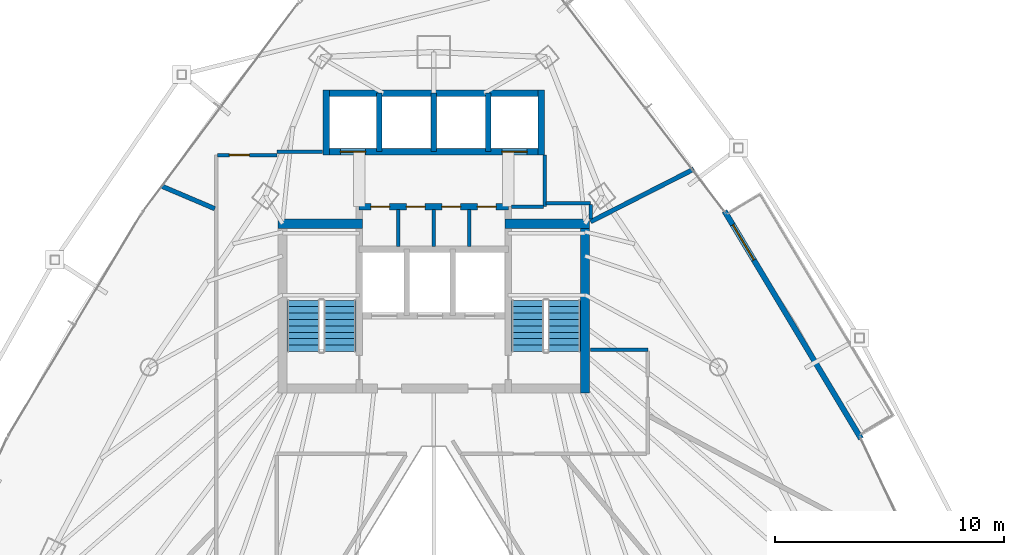
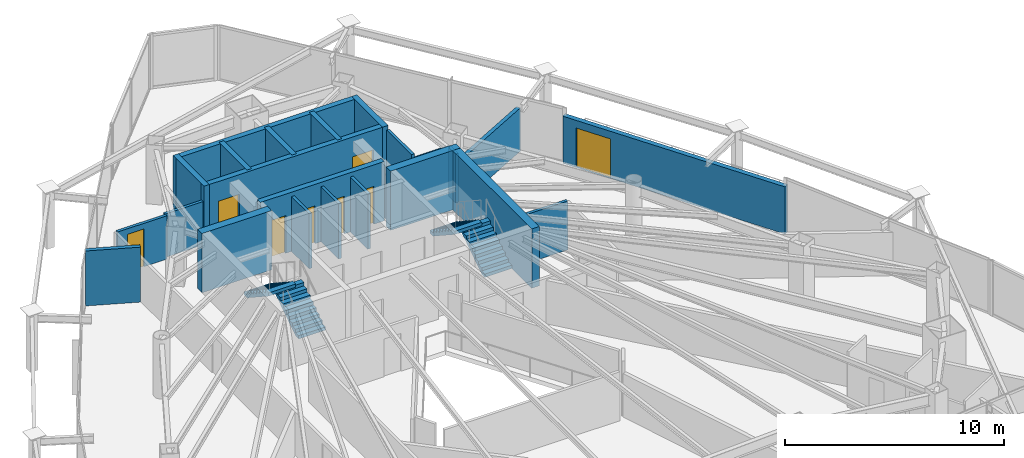
# One storey, part 28 of 31: 24 walls, 8 doors, 4 stair flights, 8 openings, 2 elements without a shape of their own.
"""IFC4 building model written with IfcOpenShell, lengths in metres."""

import ifcopenshell
import ifcopenshell.guid

model = None  # the IFC model being written
_history = None  # IfcOwnerHistory: only IFC2X3 demands one
_inside = {}  # id of a spatial element -> (the spatial element, [elements in it])
_under = {}  # id of a project, library or spatial element -> (it, [spatial elements below it])
_declared = {}  # id of a project -> (the project, [libraries it declares])
_typed = {}  # id of a type object -> (the type object, [elements of that type])
_made_of = {}  # id of a material, layer set ... -> (it, [elements and type objects made of it])


def new_model(schema):
    """Start an empty IFC model of exactly this schema.

    Asked for "IFC4X3", IfcOpenShell would pick the latest addendum, in which some entities
    have other attributes; the version numbers below select the first issue.
    IFC2X3 requires an IfcOwnerHistory on every rooted entity: one is made here for all.
    """
    global model, _history
    if schema == "IFC4X3":
        model = ifcopenshell.file(schema_version=(4, 3, 0, 0))
    else:
        model = ifcopenshell.file(schema=schema)
    _inside.clear()
    _under.clear()
    _declared.clear()
    _typed.clear()
    _made_of.clear()
    _history = None
    if model.schema == "IFC2X3":
        org = make("IfcOrganization", Name="unknown")
        user = make(
            "IfcPersonAndOrganization",
            ThePerson=make("IfcPerson", FamilyName="unknown"),
            TheOrganization=org,
        )
        app = make(
            "IfcApplication",
            ApplicationDeveloper=org,
            Version="unknown",
            ApplicationFullName="unknown",
            ApplicationIdentifier="unknown",
        )
        _history = make(
            "IfcOwnerHistory",
            OwningUser=user,
            OwningApplication=app,
            ChangeAction="ADDED",
            CreationDate=0,
        )
    return model


def make(cls, **values):
    """One entity of the class cls with the attributes given. An attribute that is None is left unset."""
    return model.create_entity(
        cls, **{name: value for name, value in values.items() if value is not None}
    )


def rooted(cls, **values):
    """An entity with a GlobalId (a new one), such as an element, a storey or a relation."""
    return make(cls, GlobalId=ifcopenshell.guid.new(), OwnerHistory=_history, **values)


def si_unit(unit_type, name, prefix=None):
    """IfcSIUnit, for example si_unit("LENGTHUNIT", "METRE", prefix="MILLI")."""
    return make("IfcSIUnit", UnitType=unit_type, Prefix=prefix, Name=name)


def assignment(units):
    """IfcUnitAssignment: the units of a project."""
    return None if units is None else make("IfcUnitAssignment", Units=units)


def point(xyz):
    """IfcCartesianPoint."""
    return None if xyz is None else make("IfcCartesianPoint", Coordinates=xyz)


def direction(xyz):
    """IfcDirection."""
    return None if xyz is None else make("IfcDirection", DirectionRatios=xyz)


def frame(location, z_axis=None, x_axis=None):
    """IfcAxis2Placement3D, a coordinate frame: its origin and axes. An axis left out is left unset."""
    return make(
        "IfcAxis2Placement3D",
        Location=point(location),
        Axis=direction(z_axis),
        RefDirection=direction(x_axis),
    )


def frame_2d(location, x_axis=None):
    """IfcAxis2Placement2D, a coordinate frame in the plane: its origin and x axis."""
    return make(
        "IfcAxis2Placement2D", Location=point(location), RefDirection=direction(x_axis)
    )


def origin():
    """The frame at (0, 0, 0) with its axes left unset."""
    return frame((0.0, 0.0, 0.0))


def place(relative_to, where):
    """IfcLocalPlacement: puts the frame where relative to a parent placement (None: the world)."""
    return make(
        "IfcLocalPlacement", PlacementRelTo=relative_to, RelativePlacement=where
    )


def context(
    kind, dimensions, precision=None, world=None, true_north=None, identifier=None
):
    """IfcGeometricRepresentationContext, for example the 3D "Model" context."""
    return make(
        "IfcGeometricRepresentationContext",
        ContextIdentifier=identifier,
        ContextType=kind,
        CoordinateSpaceDimension=dimensions,
        Precision=precision,
        WorldCoordinateSystem=world,
        TrueNorth=true_north,
    )


def subcontext(parent, identifier, kind, view, scale=None):
    """IfcGeometricRepresentationSubContext, for example "Body" below "Model"."""
    return make(
        "IfcGeometricRepresentationSubContext",
        ContextIdentifier=identifier,
        ContextType=kind,
        ParentContext=parent,
        TargetScale=scale,
        TargetView=view,
    )


def project(units=None, contexts=None):
    """IfcProject with its units and contexts."""
    return rooted(
        "IfcProject",
        Name="project",
        RepresentationContexts=contexts,
        UnitsInContext=assignment(units),
    )


def spatial(cls, under=None, at=None, **own):
    """A site, building, storey or space (cls), placed at a placement, below another one or the project."""
    s = rooted(cls, ObjectPlacement=at, **own)
    if under is not None:
        _under.setdefault(under.id(), (under, []))[1].append(s)
    return s


def polyline(points):
    """IfcPolyline through the points."""
    return make("IfcPolyline", Points=[point(p) for p in points])


def profile(cls, at=None, kind="AREA", **sizes):
    """A parametric profile (cls). Its sizes go by their IFC names, for example OverallWidth=200.0."""
    return make(cls, ProfileType=kind, Position=at, **sizes)


def rectangle(**sizes):
    """IfcRectangleProfileDef."""
    return profile("IfcRectangleProfileDef", **sizes)


def outline(outer, holes=None, kind="AREA"):
    """IfcArbitraryClosedProfileDef: a profile drawn as a closed curve; with holes, ...WithVoids."""
    if holes is None:
        return make("IfcArbitraryClosedProfileDef", ProfileType=kind, OuterCurve=outer)
    return make(
        "IfcArbitraryProfileDefWithVoids",
        ProfileType=kind,
        OuterCurve=outer,
        InnerCurves=holes,
    )


def extrude(swept, where, along, depth):
    """IfcExtrudedAreaSolid: the profile swept, set in the frame where, extruded along a direction by depth."""
    return make(
        "IfcExtrudedAreaSolid",
        SweptArea=swept,
        Position=where,
        ExtrudedDirection=direction(along),
        Depth=depth,
    )


def shape(context_of_items, identifier, shape_type, items):
    """IfcShapeRepresentation: the items that make up one representation, for example the "Body"."""
    return make(
        "IfcShapeRepresentation",
        ContextOfItems=context_of_items,
        RepresentationIdentifier=identifier,
        RepresentationType=shape_type,
        Items=items,
    )


def material(Name=None, Category=None):
    """IfcMaterial."""
    return make("IfcMaterial", Name=Name, Category=Category)


def layer(
    of_material, thickness, ventilated=None, Name=None, Category=None, Priority=None
):
    """IfcMaterialLayer: one layer of a wall or slab, of a material (None: an air gap)."""
    return make(
        "IfcMaterialLayer",
        Material=of_material,
        LayerThickness=thickness,
        IsVentilated=ventilated,
        Name=Name,
        Category=Category,
        Priority=Priority,
    )


def layer_set(layers, Name=None):
    """IfcMaterialLayerSet."""
    return make("IfcMaterialLayerSet", MaterialLayers=layers, LayerSetName=Name)


def made_of(thing, what):
    """Note that an element or type object is made of a material, layer set ...; save() writes the relation."""
    if what is not None:
        _made_of.setdefault(what.id(), (what, []))[1].append(thing)
    return thing


def type_object(cls, material=None, **own):
    """A type object (cls), such as IfcWallType, which elements share."""
    return made_of(rooted(cls, **own), material)


def element(
    cls,
    number,
    at=None,
    inside=None,
    cuts=None,
    type_object=None,
    material=None,
    context=None,
    identifier="Body",
    shape_type=None,
    held_by="IfcProductDefinitionShape",
    body=None,
    shapes=None,
    **own,
):
    """One element of the class cls, such as IfcWall. Its Tag is "e" and its number.

    at: its placement. inside: the storey or other place that contains it. cuts: it is an
    opening in that element (IfcRelVoidsElement). A single representation is given by context,
    identifier, shape_type and body (its items); several are given by shapes. held_by: the class
    of the entity that holds the representations. save() writes the other relations.
    """
    e = rooted(cls, Tag="e%d" % number, ObjectPlacement=at, **own)
    if body is not None:
        shapes = [shape(context, identifier, shape_type, body)]
    if shapes is not None:
        e.Representation = make(held_by, Representations=shapes)
    if inside is not None:
        _inside.setdefault(inside.id(), (inside, []))[1].append(e)
    if cuts is not None:
        rooted(
            "IfcRelVoidsElement", RelatingBuildingElement=cuts, RelatedOpeningElement=e
        )
    if type_object is not None:
        _typed.setdefault(type_object.id(), (type_object, []))[1].append(e)
    return made_of(e, material)


def fill(opening, filler):
    """IfcRelFillsElement: the door or window that sits in an opening."""
    return rooted(
        "IfcRelFillsElement",
        RelatingOpeningElement=opening,
        RelatedBuildingElement=filler,
    )


def aggregate(whole, parts):
    """IfcRelAggregates: a whole, such as a stair, and the parts it consists of."""
    return rooted("IfcRelAggregates", RelatingObject=whole, RelatedObjects=parts)


def save(model, path):
    """Write the relations noted so far, then the file.

    IfcRelAggregates (storeys below a building ...), IfcRelContainedInSpatialStructure (elements
    in a storey), IfcRelDefinesByType, IfcRelAssociatesMaterial and IfcRelDeclares: one each for
    every whole, place, type object, material and project.
    """
    for whole, parts in _under.values():
        aggregate(whole, parts)
    for where, things in _inside.values():
        rooted(
            "IfcRelContainedInSpatialStructure",
            RelatedElements=things,
            RelatingStructure=where,
        )
    for kind, things in _typed.values():
        rooted("IfcRelDefinesByType", RelatedObjects=things, RelatingType=kind)
    for what, things in _made_of.values():
        rooted("IfcRelAssociatesMaterial", RelatedObjects=things, RelatingMaterial=what)
    for by, libraries in _declared.values():
        rooted("IfcRelDeclares", RelatingContext=by, RelatedDefinitions=libraries)
    model.write(path)


model = new_model("IFC4")

# Units and contexts
model_context = context("Model", 3, precision=1e-05, world=origin(), true_north=direction((0.0, 1.0)))
body_context = subcontext(model_context, "Body", "Model", "MODEL_VIEW")
ifc_project = project(units=[si_unit("LENGTHUNIT", "METRE"), si_unit("AREAUNIT", "SQUARE_METRE"), si_unit("VOLUMEUNIT", "CUBIC_METRE"), si_unit("PLANEANGLEUNIT", "RADIAN"), si_unit("MASSUNIT", "GRAM", prefix="KILO")], contexts=[model_context])

# Site, building, storey
site_placement = place(None, origin())
site = spatial("IfcSite", under=ifc_project, at=site_placement, CompositionType="ELEMENT")
building_placement = place(site_placement, origin())
building = spatial("IfcBuilding", under=site, at=building_placement, Name="Orvanel Arch Residences", CompositionType="ELEMENT")
storey_placement = place(building_placement, frame((0.0, 0.0, 133.10009765625)))
storey = spatial("IfcBuildingStorey", under=building, at=storey_placement, Name="L37", CompositionType="ELEMENT", Elevation=133.10009765625)

# Wall, opening, door
ifc_material_1 = material(Name="Precast concrete N50 (50 MPa)", Category="concrete")
ifc_layer_1 = layer(ifc_material_1, 0.239990234375)
ifc_layer_set_1 = layer_set([ifc_layer_1], Name="Precast concrete N50 (50 MPa)")
wall_type_1 = type_object("IfcWallType", Name="EW-BAL-240", PredefinedType="SOLIDWALL", material=ifc_layer_set_1)
wall_1_placement = place(storey_placement, frame((51.658935546875, 24.514892578125, 0.0), z_axis=(0.0, 0.0, 1.0), x_axis=(-0.514343998995, 0.857583961311, 0.0)))
wall_1 = element("IfcWall", 1, at=wall_1_placement, inside=storey, type_object=wall_type_1, Name="L37 Balcony Threshold Wall Face 3", PredefinedType="SOLIDWALL", context=body_context, shape_type="SweptSolid", body=[
    extrude(rectangle(XDim=11.59326171875, YDim=0.239990234375, at=frame_2d((5.796630859375, 0.0))), origin(), (0.0, 0.0, 1.0), 2.6240234375),
])
opening_1_placement = place(wall_1_placement, frame((9.095947265625, 0.0, 0.0)))
opening_1 = element("IfcOpeningElement", 2, at=opening_1_placement, cuts=wall_1, Name="Opening DB-180", PredefinedType="OPENING", context=body_context, shape_type="SweptSolid", body=[
    extrude(rectangle(XDim=1.800048828125, YDim=2.199951171875, at=frame_2d((0.89990234375, 1.10009765625))), frame((0.0, 0.1298828125, 0.0), z_axis=(0.0, -1.0, 0.0), x_axis=(1.0, 0.0, 0.0)), (0.0, 0.0, 1.0), 0.260009765625),
])
ifc_material_2 = material(Name="Bronze-anodised aluminium AA6063-T6", Category="aluminium")
door_type_1 = type_object("IfcDoorType", Name="DR-BAL-1800", OperationType="NOTDEFINED", PredefinedType="DOOR", material=ifc_material_2)
door_1_placement = place(opening_1_placement, origin())
door_1 = element("IfcDoor", 3, at=door_1_placement, inside=storey, type_object=door_type_1, Name="DR-L37-BAL-F3 L37 Planted Balcony Access Door Face 3", OperationType="SINGLE_SWING_LEFT", OverallHeight=2.199951171875, OverallWidth=1.800048828125, PredefinedType="DOOR", context=body_context, shape_type="SweptSolid", body=[
    extrude(rectangle(XDim=1.800048828125, YDim=2.199951171875, at=frame_2d((0.89990234375, 1.10009765625))), frame((0.0, 0.02490234375, 0.0), z_axis=(0.0, -1.0, 0.0), x_axis=(1.0, 0.0, 0.0)), (0.0, 0.0, 1.0), 0.050048828125),
])
fill(opening_1, door_1)

# Walls
ifc_material_3 = material(Name="Concrete N50 (50 MPa)", Category="concrete")
ifc_layer_2 = layer(ifc_material_3, 0.25)
ifc_layer_set_2 = layer_set([ifc_layer_2], Name="Concrete N50 (50 MPa)")
wall_type_2 = type_object("IfcWallType", Name="SW-CORE-250", PredefinedType="SHEAR", material=ifc_layer_set_2)
for number, where, z_axis, x_axis, name in (
    (4, (30.625, 37.050048828125, 0.0), (0.0, 0.0, 1.0), (0.0, 1.0, 0.0), "L37 Passenger Lift Inter-Shaft Wall P35"),
    (5, (33.0, 37.050048828125, 0.0), (0.0, 0.0, 1.0), (0.0, 1.0, 0.0), "L37 Passenger Lift Inter-Shaft Wall P56"),
    (6, (35.375, 37.050048828125, 0.0), (0.0, 0.0, 1.0), (0.0, 1.0, 0.0), "L37 Passenger Lift Inter-Shaft Wall P64"),
):
    element("IfcWall", number, at=place(storey_placement, frame(where, z_axis=z_axis, x_axis=x_axis)), inside=storey, type_object=wall_type_2, Name=name, PredefinedType="SHEAR", context=body_context, shape_type="SweptSolid", body=[
        extrude(rectangle(XDim=2.550048828125, YDim=0.25, at=frame_2d((1.27490234375, 0.0))), origin(), (0.0, 0.0, 1.0), 3.2998046875),
    ])

# Wall, openings, doors
ifc_material_4 = material(Name="Concrete S65 (65 MPa)", Category="concrete")
ifc_layer_3 = layer(ifc_material_4, 0.280029296875)
ifc_layer_set_3 = layer_set([ifc_layer_3], Name="Concrete S65 (65 MPa)")
wall_type_3 = type_object("IfcWallType", Name="SW-CORE-280", PredefinedType="SHEAR", material=ifc_layer_set_3)
wall_2_placement = place(storey_placement, frame((29.739990234375, 34.64990234375, 0.0), z_axis=(0.0, 0.0, 1.0), x_axis=(1.0, 0.0, 0.0)))
wall_2 = element("IfcWall", 7, at=wall_2_placement, inside=storey, type_object=wall_type_3, Name="L37 Core Service Band North Shear Wall", PredefinedType="SHEAR", context=body_context, shape_type="SweptSolid", body=[
    extrude(rectangle(XDim=6.52001953125, YDim=0.280029296875, at=frame_2d((3.260009765625, 0.0))), origin(), (0.0, 0.0, 1.0), 3.2998046875),
])
opening_2_placement = place(wall_2_placement, frame((0.514892578125, 0.0, 0.0)))
opening_2 = element("IfcOpeningElement", 8, at=opening_2_placement, cuts=wall_2, Name="Opening DS-082", PredefinedType="OPENING", context=body_context, shape_type="SweptSolid", body=[
    extrude(rectangle(XDim=0.820068359375, YDim=2.10009765625, at=frame_2d((0.41015625, 1.050048828125))), frame((0.0, 0.14990234375, 0.0), z_axis=(0.0, -1.0, 0.0), x_axis=(1.0, 0.0, 0.0)), (0.0, 0.0, 1.0), 0.300048828125),
])
opening_3_placement = place(wall_2_placement, frame((2.06494140625, 0.0, 0.0)))
opening_3 = element("IfcOpeningElement", 9, at=opening_3_placement, cuts=wall_2, Name="Opening DS-082", PredefinedType="OPENING", context=body_context, shape_type="SweptSolid", body=[
    extrude(rectangle(XDim=0.820068359375, YDim=2.10009765625, at=frame_2d((0.41015625, 1.050048828125))), frame((0.0, 0.14990234375, 0.0), z_axis=(0.0, -1.0, 0.0), x_axis=(1.0, 0.0, 0.0)), (0.0, 0.0, 1.0), 0.300048828125),
])
opening_4_placement = place(wall_2_placement, frame((3.614990234375, 0.0, 0.0)))
opening_4 = element("IfcOpeningElement", 10, at=opening_4_placement, cuts=wall_2, Name="Opening DS-082", PredefinedType="OPENING", context=body_context, shape_type="SweptSolid", body=[
    extrude(rectangle(XDim=0.820068359375, YDim=2.10009765625, at=frame_2d((0.41015625, 1.050048828125))), frame((0.0, 0.14990234375, 0.0), z_axis=(0.0, -1.0, 0.0), x_axis=(1.0, 0.0, 0.0)), (0.0, 0.0, 1.0), 0.300048828125),
])
opening_5_placement = place(wall_2_placement, frame((5.1650390625, 0.0, 0.0)))
opening_5 = element("IfcOpeningElement", 11, at=opening_5_placement, cuts=wall_2, Name="Opening DS-082", PredefinedType="OPENING", context=body_context, shape_type="SweptSolid", body=[
    extrude(rectangle(XDim=0.820068359375, YDim=2.10009765625, at=frame_2d((0.41015625, 1.050048828125))), frame((0.0, 0.14990234375, 0.0), z_axis=(0.0, -1.0, 0.0), x_axis=(1.0, 0.0, 0.0)), (0.0, 0.0, 1.0), 0.300048828125),
])
ifc_material_5 = material(Name="Galvanised steel fire-resisting door assembly", Category="steel")
door_type_2 = type_object("IfcDoorType", Name="DR-SVC-820", OperationType="NOTDEFINED", PredefinedType="DOOR", material=ifc_material_5)
door_2_placement = place(opening_2_placement, origin())
door_2 = element("IfcDoor", 12, at=door_2_placement, inside=storey, type_object=door_type_2, Name="DR-L37-CSVC-1 L37 Linen Store Door", OperationType="SINGLE_SWING_LEFT", OverallHeight=2.10009765625, OverallWidth=0.820068359375, PredefinedType="DOOR", context=body_context, shape_type="SweptSolid", body=[
    extrude(rectangle(XDim=0.820068359375, YDim=2.10009765625, at=frame_2d((0.41015625, 1.050048828125))), frame((0.0, 0.02490234375, 0.0), z_axis=(0.0, -1.0, 0.0), x_axis=(1.0, 0.0, 0.0)), (0.0, 0.0, 1.0), 0.050048828125),
])
fill(opening_2, door_2)
door_3_placement = place(opening_3_placement, origin())
door_3 = element("IfcDoor", 13, at=door_3_placement, inside=storey, type_object=door_type_2, Name="DR-L37-CSVC-2 L37 Cleaner's Store Door", OperationType="SINGLE_SWING_LEFT", OverallHeight=2.10009765625, OverallWidth=0.820068359375, PredefinedType="DOOR", context=body_context, shape_type="SweptSolid", body=[
    extrude(rectangle(XDim=0.820068359375, YDim=2.10009765625, at=frame_2d((0.41015625, 1.050048828125))), frame((0.0, 0.02490234375, 0.0), z_axis=(0.0, -1.0, 0.0), x_axis=(1.0, 0.0, 0.0)), (0.0, 0.0, 1.0), 0.050048828125),
])
fill(opening_3, door_3)
door_4_placement = place(opening_4_placement, origin())
door_4 = element("IfcDoor", 14, at=door_4_placement, inside=storey, type_object=door_type_2, Name="DR-L37-CSVC-3 L37 Electrical Meter Store Door", OperationType="SINGLE_SWING_LEFT", OverallHeight=2.10009765625, OverallWidth=0.820068359375, PredefinedType="DOOR", context=body_context, shape_type="SweptSolid", body=[
    extrude(rectangle(XDim=0.820068359375, YDim=2.10009765625, at=frame_2d((0.41015625, 1.050048828125))), frame((0.0, 0.02490234375, 0.0), z_axis=(0.0, -1.0, 0.0), x_axis=(1.0, 0.0, 0.0)), (0.0, 0.0, 1.0), 0.050048828125),
])
fill(opening_4, door_4)
door_5_placement = place(opening_5_placement, origin())
door_5 = element("IfcDoor", 15, at=door_5_placement, inside=storey, type_object=door_type_2, Name="DR-L37-CSVC-4 L37 Housekeeping Supply Store Door", OperationType="SINGLE_SWING_LEFT", OverallHeight=2.10009765625, OverallWidth=0.820068359375, PredefinedType="DOOR", context=body_context, shape_type="SweptSolid", body=[
    extrude(rectangle(XDim=0.820068359375, YDim=2.10009765625, at=frame_2d((0.41015625, 1.050048828125))), frame((0.0, 0.02490234375, 0.0), z_axis=(0.0, -1.0, 0.0), x_axis=(1.0, 0.0, 0.0)), (0.0, 0.0, 1.0), 0.050048828125),
])
fill(opening_5, door_5)

wall_3_placement = place(storey_placement, frame((37.840087890625, 37.050048828125, 0.0), z_axis=(0.0, 0.0, 1.0), x_axis=(-1.0, 0.0, 0.0)))
wall_3 = element("IfcWall", 16, at=wall_3_placement, inside=storey, type_object=wall_type_3, Name="L37 Passenger Lift Bank Front Shear Wall", PredefinedType="SHEAR", context=body_context, shape_type="SweptSolid", body=[
    extrude(rectangle(XDim=9.68017578125, YDim=0.280029296875, at=frame_2d((4.840087890625, 0.0))), origin(), (0.0, 0.0, 1.0), 3.2998046875),
])
opening_6_placement = place(wall_3_placement, frame((7.81494140625, 0.0, 0.0)))
opening_6 = element("IfcOpeningElement", 17, at=opening_6_placement, cuts=wall_3, Name="Opening LD-110", PredefinedType="OPENING", context=body_context, shape_type="SweptSolid", body=[
    extrude(rectangle(XDim=1.10009765625, YDim=2.199951171875, at=frame_2d((0.550048828125, 1.10009765625))), frame((0.0, 0.14990234375, 0.0), z_axis=(0.0, -1.0, 0.0), x_axis=(1.0, 0.0, 0.0)), (0.0, 0.0, 1.0), 0.300048828125),
])
opening_7_placement = place(wall_3_placement, frame((0.764892578125, 0.0, 0.0)))
opening_7 = element("IfcOpeningElement", 18, at=opening_7_placement, cuts=wall_3, Name="Opening LD-110", PredefinedType="OPENING", context=body_context, shape_type="SweptSolid", body=[
    extrude(rectangle(XDim=1.10009765625, YDim=2.199951171875, at=frame_2d((0.550048828125, 1.10009765625))), frame((0.0, 0.14990234375, 0.0), z_axis=(0.0, -1.0, 0.0), x_axis=(1.0, 0.0, 0.0)), (0.0, 0.0, 1.0), 0.300048828125),
])
door_type_3 = type_object("IfcDoorType", Name="DR-LFT-1100", OperationType="NOTDEFINED", PredefinedType="DOOR", material=ifc_material_5)
door_6_placement = place(opening_6_placement, origin())
door_6 = element("IfcDoor", 19, at=door_6_placement, inside=storey, type_object=door_type_3, Name="LD-P3-L37 L37 Passenger Lift P3 Sliding Landing Door", OperationType="DOUBLE_DOOR_SLIDING", OverallHeight=2.199951171875, OverallWidth=1.10009765625, PredefinedType="DOOR", context=body_context, shape_type="SweptSolid", body=[
    extrude(rectangle(XDim=1.10009765625, YDim=2.199951171875, at=frame_2d((0.550048828125, 1.10009765625))), frame((0.0, 0.02490234375, 0.0), z_axis=(0.0, -1.0, 0.0), x_axis=(1.0, 0.0, 0.0)), (0.0, 0.0, 1.0), 0.050048828125),
])
fill(opening_6, door_6)
door_7_placement = place(opening_7_placement, origin())
door_7 = element("IfcDoor", 20, at=door_7_placement, inside=storey, type_object=door_type_3, Name="LD-P4-L37 L37 Passenger Lift P4 Sliding Landing Door", OperationType="DOUBLE_DOOR_SLIDING", OverallHeight=2.199951171875, OverallWidth=1.10009765625, PredefinedType="DOOR", context=body_context, shape_type="SweptSolid", body=[
    extrude(rectangle(XDim=1.10009765625, YDim=2.199951171875, at=frame_2d((0.550048828125, 1.10009765625))), frame((0.0, 0.02490234375, 0.0), z_axis=(0.0, -1.0, 0.0), x_axis=(1.0, 0.0, 0.0)), (0.0, 0.0, 1.0), 0.050048828125),
])
fill(opening_7, door_7)

# Walls
wall_4_placement = place(storey_placement, frame((28.159912109375, 39.60009765625, 0.0), z_axis=(0.0, 0.0, 1.0), x_axis=(1.0, 0.0, 0.0)))
element("IfcWall", 21, at=wall_4_placement, inside=storey, type_object=wall_type_3, Name="L37 Passenger Lift Bank North Shear Wall", PredefinedType="SHEAR", context=body_context, shape_type="SweptSolid", body=[
    extrude(rectangle(XDim=9.68017578125, YDim=0.280029296875, at=frame_2d((4.840087890625, 0.0))), origin(), (0.0, 0.0, 1.0), 3.2998046875),
])
for number, where, z_axis, x_axis, name in (
    (22, (28.300048828125, 36.909912109375, 0.0), (0.0, 0.0, 1.0), (0.0, 1.0, 0.0), "L37 Passenger Lift Bank West Shear Wall"),
    (23, (37.699951171875, 36.909912109375, 0.0), (0.0, 0.0, 1.0), (0.0, 1.0, 0.0), "L37 Passenger Lift Bank East Shear Wall"),
):
    element("IfcWall", number, at=place(storey_placement, frame(where, z_axis=z_axis, x_axis=x_axis)), inside=storey, type_object=wall_type_3, Name=name, PredefinedType="SHEAR", context=body_context, shape_type="SweptSolid", body=[
        extrude(rectangle(XDim=2.830078125, YDim=0.280029296875, at=frame_2d((1.4150390625, 0.0))), origin(), (0.0, 0.0, 1.0), 3.2998046875),
    ])
ifc_layer_4 = layer(ifc_material_4, 0.39990234375)
ifc_layer_set_4 = layer_set([ifc_layer_4], Name="Concrete S65 (65 MPa)")
wall_type_4 = type_object("IfcWallType", Name="SW-CORE-400", PredefinedType="SHEAR", material=ifc_layer_set_4)
wall_5_placement = place(storey_placement, frame((26.199951171875, 33.89990234375, 0.0), z_axis=(0.0, 0.0, 1.0), x_axis=(1.0, 0.0, 0.0)))
element("IfcWall", 24, at=wall_5_placement, inside=storey, type_object=wall_type_4, Name="L37 West Stair North Shear Wall", PredefinedType="SHEAR", context=body_context, shape_type="SweptSolid", body=[
    extrude(rectangle(XDim=3.679931640625, YDim=0.39990234375, at=frame_2d((1.83984375, 0.0))), origin(), (0.0, 0.0, 1.0), 3.2998046875),
])
wall_6_placement = place(storey_placement, frame((39.60009765625, 26.5, 0.0), z_axis=(0.0, 0.0, 1.0), x_axis=(0.0, 1.0, 0.0)))
element("IfcWall", 25, at=wall_6_placement, inside=storey, type_object=wall_type_4, Name="L37 East Stair Shear Wall", PredefinedType="SHEAR", context=body_context, shape_type="SweptSolid", body=[
    extrude(rectangle(XDim=7.60009765625, YDim=0.39990234375, at=frame_2d((3.800048828125, 0.0))), origin(), (0.0, 0.0, 1.0), 3.2998046875),
])
wall_7_placement = place(storey_placement, frame((36.1201171875, 33.89990234375, 0.0), z_axis=(0.0, 0.0, 1.0), x_axis=(1.0, 0.0, 0.0)))
element("IfcWall", 26, at=wall_7_placement, inside=storey, type_object=wall_type_4, Name="L37 East Stair North Shear Wall", PredefinedType="SHEAR", context=body_context, shape_type="SweptSolid", body=[
    extrude(rectangle(XDim=3.679931640625, YDim=0.39990234375, at=frame_2d((1.83984375, 0.0))), origin(), (0.0, 0.0, 1.0), 3.2998046875),
])
ifc_material_6 = material(Name="Fire-rated plasterboard lined steel stud partition", Category="steel")
ifc_layer_5 = layer(ifc_material_6, 0.14990234375)
ifc_layer_set_5 = layer_set([ifc_layer_5], Name="Fire-rated plasterboard lined steel stud partition")
wall_type_5 = type_object("IfcWallType", Name="W-COR-150", PredefinedType="PARTITIONING", material=ifc_layer_set_5)
wall_8_placement = place(storey_placement, frame((37.85009765625, 34.64990234375, 0.0), z_axis=(0.0, 0.0, 1.0), x_axis=(0.0, 1.0, 0.0)))
element("IfcWall", 27, at=wall_8_placement, inside=storey, type_object=wall_type_5, Name="L37 Passenger Lift Lobby East Closure Wall", PredefinedType="PARTITIONING", context=body_context, shape_type="SweptSolid", body=[
    extrude(rectangle(XDim=2.260009765625, YDim=0.14990234375, at=frame_2d((1.1298828125, 0.0))), origin(), (0.0, 0.0, 1.0), 3.059814453125),
])
wall_9_placement = place(storey_placement, frame((36.385009765625, 34.64990234375, 0.0), z_axis=(0.0, 0.0, 1.0), x_axis=(1.0, 0.0, 0.0)))
element("IfcWall", 28, at=wall_9_placement, inside=storey, type_object=wall_type_5, Name="L37 Passenger Lift Lobby South-East Wall", PredefinedType="PARTITIONING", context=body_context, shape_type="SweptSolid", body=[
    extrude(rectangle(XDim=1.405029296875, YDim=0.14990234375, at=frame_2d((0.70263671875, 0.0))), origin(), (0.0, 0.0, 1.0), 2.4248046875),
])

# Wall, opening, door
wall_10_placement = place(storey_placement, frame((23.56005859375, 36.89990234375, 0.0), z_axis=(0.0, 0.0, 1.0), x_axis=(1.0, 0.0, 0.0)))
wall_10 = element("IfcWall", 29, at=wall_10_placement, inside=storey, type_object=wall_type_5, Name="L37 Corridor Fire-Rated Partition", PredefinedType="PARTITIONING", context=body_context, shape_type="SweptSolid", body=[
    extrude(rectangle(XDim=2.58984375, YDim=0.14990234375, at=frame_2d((1.294921875, 0.0))), origin(), (0.0, 0.0, 1.0), 2.412841796875),
])
opening_8_placement = place(wall_10_placement, frame((0.514892578125, 0.0, 0.0)))
opening_8 = element("IfcOpeningElement", 30, at=opening_8_placement, cuts=wall_10, Name="Opening DI-088", PredefinedType="OPENING", context=body_context, shape_type="SweptSolid", body=[
    extrude(rectangle(XDim=0.8798828125, YDim=2.10009765625, at=frame_2d((0.43994140625, 1.050048828125))), frame((0.0, 0.0849609375, 0.0), z_axis=(0.0, -1.0, 0.0), x_axis=(1.0, 0.0, 0.0)), (0.0, 0.0, 1.0), 0.169921875),
])
ifc_material_7 = material(Name="Solid-core European oak veneer fire door leaf", Category="wood")
door_type_4 = type_object("IfcDoorType", Name="DR-INT-880", OperationType="NOTDEFINED", PredefinedType="DOOR", material=ifc_material_7)
door_8_placement = place(opening_8_placement, origin())
door_8 = element("IfcDoor", 31, at=door_8_placement, inside=storey, type_object=door_type_4, Name="DR-L37-SHRD-FB3 L37 Co-Working Study Office C Door", OperationType="SINGLE_SWING_LEFT", OverallHeight=2.10009765625, OverallWidth=0.8798828125, PredefinedType="DOOR", context=body_context, shape_type="SweptSolid", body=[
    extrude(rectangle(XDim=0.8798828125, YDim=2.10009765625, at=frame_2d((0.43994140625, 1.050048828125))), frame((0.0, 0.02490234375, 0.0), z_axis=(0.0, -1.0, 0.0), x_axis=(1.0, 0.0, 0.0)), (0.0, 0.0, 1.0), 0.050048828125),
])
fill(opening_8, door_8)

# Walls
wall_11_placement = place(storey_placement, frame((39.85009765625, 28.39990234375, 0.0), z_axis=(0.0, 0.0, 1.0), x_axis=(1.0, 0.0, 0.0)))
element("IfcWall", 32, at=wall_11_placement, inside=storey, type_object=wall_type_5, Name="L37 Corridor Fire-Rated Partition", PredefinedType="PARTITIONING", context=body_context, shape_type="SweptSolid", body=[
    extrude(rectangle(XDim=2.5, YDim=0.14990234375, at=frame_2d((1.25, 0.0))), origin(), (0.0, 0.0, 1.0), 2.720947265625),
])
wall_12_placement = place(storey_placement, frame((26.14990234375, 37.050048828125, 0.0), z_axis=(0.0, 0.0, 1.0), x_axis=(1.0, 0.0, 0.0)))
element("IfcWall", 33, at=wall_12_placement, inside=storey, type_object=wall_type_5, Name="L37 Core Perimeter Partition", PredefinedType="PARTITIONING", context=body_context, shape_type="SweptSolid", body=[
    extrude(rectangle(XDim=2.0, YDim=0.14990234375, at=frame_2d((1.0, 0.0))), origin(), (0.0, 0.0, 1.0), 2.412841796875),
])
wall_13_placement = place(storey_placement, frame((37.909912109375, 34.800048828125, 0.0), z_axis=(0.0, 0.0, 1.0), x_axis=(1.0, 0.0, 0.0)))
element("IfcWall", 34, at=wall_13_placement, inside=storey, type_object=wall_type_5, Name="L37 Core Perimeter Partition", PredefinedType="PARTITIONING", context=body_context, shape_type="SweptSolid", body=[
    extrude(rectangle(XDim=1.940185546875, YDim=0.14990234375, at=frame_2d((0.97021484375, 0.0))), origin(), (0.0, 0.0, 1.0), 2.720947265625),
])
wall_14_placement = place(storey_placement, frame((39.85009765625, 34.739990234375, 0.0), z_axis=(0.0, 0.0, 1.0), x_axis=(0.0, -1.0, 0.0)))
element("IfcWall", 35, at=wall_14_placement, inside=storey, type_object=wall_type_5, Name="L37 Core Perimeter Partition", PredefinedType="PARTITIONING", context=body_context, shape_type="SweptSolid", body=[
    extrude(rectangle(XDim=0.639892578125, YDim=0.14990234375, at=frame_2d((0.31982421875, 0.0))), origin(), (0.0, 0.0, 1.0), 2.720947265625),
])
ifc_layer_6 = layer(ifc_material_6, 0.199951171875)
ifc_layer_set_6 = layer_set([ifc_layer_6], Name="Fire-rated plasterboard lined steel stud partition")
wall_type_6 = type_object("IfcWallType", Name="W-DEM-200", PredefinedType="PARTITIONING", material=ifc_layer_set_6)
wall_15_placement = place(storey_placement, frame((21.111083984375, 35.547119140625, 0.0), z_axis=(0.0, 0.0, 1.0), x_axis=(0.920437694564, -0.390889307126, 0.0)))
element("IfcWall", 36, at=wall_15_placement, inside=storey, type_object=wall_type_6, Name="L37 Inter-Tenancy Acoustic Demising Wall", PredefinedType="PARTITIONING", context=body_context, shape_type="SweptSolid", body=[
    extrude(rectangle(XDim=2.5302734375, YDim=0.199951171875, at=frame_2d((1.26513671875, 0.0))), origin(), (0.0, 0.0, 1.0), 3.059814453125),
])
wall_16_placement = place(storey_placement, frame((44.35888671875, 36.2880859375, 0.0), z_axis=(0.0, 0.0, 1.0), x_axis=(-0.890946333403, -0.454108611453, 0.0)))
element("IfcWall", 37, at=wall_16_placement, inside=storey, type_object=wall_type_6, Name="L37 Inter-Tenancy Acoustic Demising Wall", PredefinedType="PARTITIONING", context=body_context, shape_type="SweptSolid", body=[
    extrude(rectangle(XDim=5.060791015625, YDim=0.199951171875, at=frame_2d((2.5302734375, 0.0))), origin(), (0.0, 0.0, 1.0), 2.412841796875),
])
ifc_layer_7 = layer(ifc_material_6, 0.14990234375)
ifc_layer_set_7 = layer_set([ifc_layer_7], Name="Fire-rated plasterboard lined steel stud partition")
wall_type_7 = type_object("IfcWallType", Name="W-ST-150", PredefinedType="PARTITIONING", material=ifc_layer_set_7)
for number, where, z_axis, x_axis, name in (
    (38, (31.449951171875, 32.9150390625, 0.0), (0.0, 0.0, 1.0), (0.0, 1.0, 0.0), "L37 Core Service Partition 1"),
    (39, (33.0, 32.9150390625, 0.0), (0.0, 0.0, 1.0), (0.0, 1.0, 0.0), "L37 Core Service Partition 2"),
    (40, (34.550048828125, 32.9150390625, 0.0), (0.0, 0.0, 1.0), (0.0, 1.0, 0.0), "L37 Core Service Partition 3"),
):
    element("IfcWall", number, at=place(storey_placement, frame(where, z_axis=z_axis, x_axis=x_axis)), inside=storey, type_object=wall_type_7, Name=name, PredefinedType="PARTITIONING", context=body_context, shape_type="SweptSolid", body=[
        extrude(rectangle(XDim=1.60986328125, YDim=0.14990234375, at=frame_2d((0.804931640625, 0.0))), origin(), (0.0, 0.0, 1.0), 3.059814453125),
    ])

# Stair, stair flights
stair_type = type_object("IfcStairType", Name="STR-DOG-184", PredefinedType="USERDEFINED", material=ifc_material_1)
stair_1_placement = place(storey_placement, origin())
stair_1 = element("IfcStair", 41, at=stair_1_placement, inside=storey, type_object=stair_type, Name="L37 Fire-Isolated Core Exit Stair 1", ObjectType="TWO_RETURN_STAIR", PredefinedType="USERDEFINED")
stair_flight_type_1 = type_object("IfcStairFlightType", Name="SFL-C1-184", PredefinedType="STRAIGHT", material=ifc_material_1)
stair_flight_1_placement = place(storey_placement, frame((28.889892578125, 28.320068359375, 0.0), z_axis=(0.0, 0.0, 1.0), x_axis=(0.0, 1.0, 0.0)))
stair_flight_1 = element("IfcStairFlight", 42, at=stair_flight_1_placement, type_object=stair_flight_type_1, Name="ST-1 flight 1", NumberOfRisers=9, NumberOfTreads=8, PredefinedType="STRAIGHT", RiserHeight=0.183333333, TreadLength=0.28, context=body_context, shape_type="SweptSolid", body=[
    extrude(outline(polyline([(0.0, 0.0), (0.0, 0.183349609375), (0.280029296875, 0.183349609375), (0.280029296875, 0.36669921875), (0.56005859375, 0.36669921875), (0.56005859375, 0.550048828125), (0.840087890625, 0.550048828125), (0.840087890625, 0.7333984375), (1.1201171875, 0.7333984375), (1.1201171875, 0.916748046875), (1.39990234375, 0.916748046875), (1.39990234375, 1.10009765625), (1.679931640625, 1.10009765625), (1.679931640625, 1.283447265625), (1.9599609375, 1.283447265625), (1.9599609375, 1.466552734375), (2.239990234375, 1.466552734375), (2.239990234375, 1.64990234375), (2.239990234375, 1.28759765625), (0.273681640625, 0.0), (0.0, 0.0)])), frame((0.0, 0.7099609375, 0.0), z_axis=(0.0, -1.0, 0.0), x_axis=(1.0, 0.0, 0.0)), (0.0, 0.0, 1.0), 1.419921875),
])
stair_flight_2_placement = place(storey_placement, frame((27.31005859375, 30.56005859375, 1.64990234375), z_axis=(0.0, 0.0, 1.0), x_axis=(0.0, -1.0, 0.0)))
stair_flight_2 = element("IfcStairFlight", 43, at=stair_flight_2_placement, type_object=stair_flight_type_1, Name="ST-1 flight 2", NumberOfRisers=9, NumberOfTreads=8, PredefinedType="STRAIGHT", RiserHeight=0.183333333, TreadLength=0.28, context=body_context, shape_type="SweptSolid", body=[
    extrude(outline(polyline([(0.0, 0.0), (0.0, 0.183349609375), (0.280029296875, 0.183349609375), (0.280029296875, 0.36669921875), (0.56005859375, 0.36669921875), (0.56005859375, 0.550048828125), (0.840087890625, 0.550048828125), (0.840087890625, 0.7333984375), (1.1201171875, 0.7333984375), (1.1201171875, 0.916748046875), (1.39990234375, 0.916748046875), (1.39990234375, 1.10009765625), (1.679931640625, 1.10009765625), (1.679931640625, 1.283447265625), (1.9599609375, 1.283447265625), (1.9599609375, 1.466552734375), (2.239990234375, 1.466552734375), (2.239990234375, 1.64990234375), (2.239990234375, 1.28759765625), (0.273681640625, 0.0), (0.0, 0.0)])), frame((0.0, 0.7099609375, 0.0), z_axis=(0.0, -1.0, 0.0), x_axis=(1.0, 0.0, 0.0)), (0.0, 0.0, 1.0), 1.419921875),
])
aggregate(stair_1, [stair_flight_1, stair_flight_2])

stair_2_placement = place(storey_placement, origin())
stair_2 = element("IfcStair", 44, at=stair_2_placement, inside=storey, type_object=stair_type, Name="L37 Fire-Isolated Core Exit Stair 2", ObjectType="TWO_RETURN_STAIR", PredefinedType="USERDEFINED")
stair_flight_type_2 = type_object("IfcStairFlightType", Name="SFL-C2-184", PredefinedType="STRAIGHT", material=ifc_material_1)
stair_flight_3_placement = place(storey_placement, frame((38.68994140625, 28.320068359375, 0.0), z_axis=(0.0, 0.0, 1.0), x_axis=(0.0, 1.0, 0.0)))
stair_flight_3 = element("IfcStairFlight", 45, at=stair_flight_3_placement, type_object=stair_flight_type_2, Name="ST-2 flight 1", NumberOfRisers=9, NumberOfTreads=8, PredefinedType="STRAIGHT", RiserHeight=0.183333333, TreadLength=0.28, context=body_context, shape_type="SweptSolid", body=[
    extrude(outline(polyline([(0.0, 0.0), (0.0, 0.183349609375), (0.280029296875, 0.183349609375), (0.280029296875, 0.36669921875), (0.56005859375, 0.36669921875), (0.56005859375, 0.550048828125), (0.840087890625, 0.550048828125), (0.840087890625, 0.7333984375), (1.1201171875, 0.7333984375), (1.1201171875, 0.916748046875), (1.39990234375, 0.916748046875), (1.39990234375, 1.10009765625), (1.679931640625, 1.10009765625), (1.679931640625, 1.283447265625), (1.9599609375, 1.283447265625), (1.9599609375, 1.466552734375), (2.239990234375, 1.466552734375), (2.239990234375, 1.64990234375), (2.239990234375, 1.28759765625), (0.273681640625, 0.0), (0.0, 0.0)])), frame((0.0, 0.7099609375, 0.0), z_axis=(0.0, -1.0, 0.0), x_axis=(1.0, 0.0, 0.0)), (0.0, 0.0, 1.0), 1.419921875),
])
stair_flight_4_placement = place(storey_placement, frame((37.110107421875, 30.56005859375, 1.64990234375), z_axis=(0.0, 0.0, 1.0), x_axis=(0.0, -1.0, 0.0)))
stair_flight_4 = element("IfcStairFlight", 46, at=stair_flight_4_placement, type_object=stair_flight_type_2, Name="ST-2 flight 2", NumberOfRisers=9, NumberOfTreads=8, PredefinedType="STRAIGHT", RiserHeight=0.183333333, TreadLength=0.28, context=body_context, shape_type="SweptSolid", body=[
    extrude(outline(polyline([(0.0, 0.0), (0.0, 0.183349609375), (0.280029296875, 0.183349609375), (0.280029296875, 0.36669921875), (0.56005859375, 0.36669921875), (0.56005859375, 0.550048828125), (0.840087890625, 0.550048828125), (0.840087890625, 0.7333984375), (1.1201171875, 0.7333984375), (1.1201171875, 0.916748046875), (1.39990234375, 0.916748046875), (1.39990234375, 1.10009765625), (1.679931640625, 1.10009765625), (1.679931640625, 1.283447265625), (1.9599609375, 1.283447265625), (1.9599609375, 1.466552734375), (2.239990234375, 1.466552734375), (2.239990234375, 1.64990234375), (2.239990234375, 1.28759765625), (0.273681640625, 0.0), (0.0, 0.0)])), frame((0.0, 0.7099609375, 0.0), z_axis=(0.0, -1.0, 0.0), x_axis=(1.0, 0.0, 0.0)), (0.0, 0.0, 1.0), 1.419921875),
])
aggregate(stair_2, [stair_flight_3, stair_flight_4])

save(model, "model.ifc")
